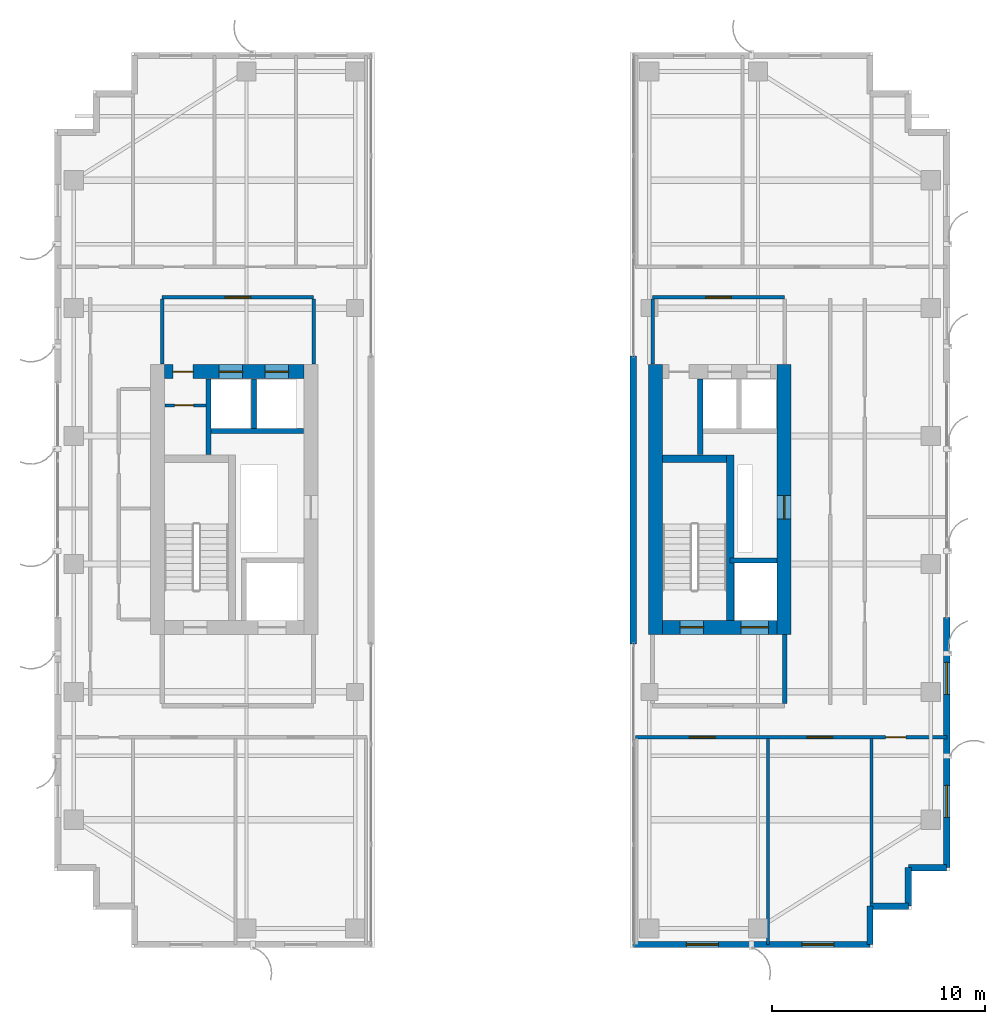
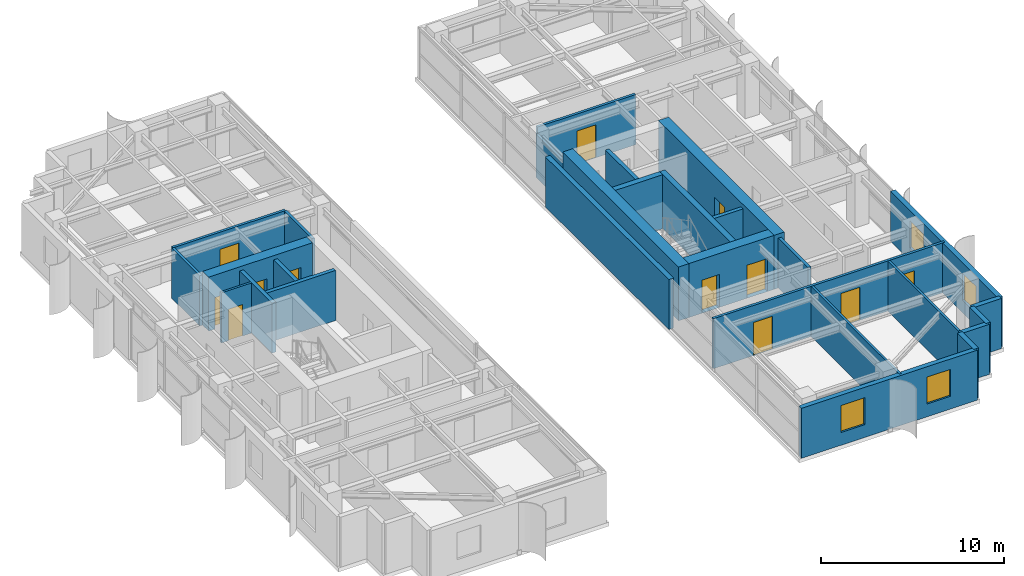
# One storey, part 17 of 22: 28 walls, 12 doors, 4 windows, 16 openings.
"""IFC4 building model written with IfcOpenShell, lengths in metres."""

import ifcopenshell
import ifcopenshell.guid

model = None  # the IFC model being written
_history = None  # IfcOwnerHistory: only IFC2X3 demands one
_inside = {}  # id of a spatial element -> (the spatial element, [elements in it])
_under = {}  # id of a project, library or spatial element -> (it, [spatial elements below it])
_declared = {}  # id of a project -> (the project, [libraries it declares])
_typed = {}  # id of a type object -> (the type object, [elements of that type])
_made_of = {}  # id of a material, layer set ... -> (it, [elements and type objects made of it])


def new_model(schema):
    """Start an empty IFC model of exactly this schema.

    Asked for "IFC4X3", IfcOpenShell would pick the latest addendum, in which some entities
    have other attributes; the version numbers below select the first issue.
    IFC2X3 requires an IfcOwnerHistory on every rooted entity: one is made here for all.
    """
    global model, _history
    if schema == "IFC4X3":
        model = ifcopenshell.file(schema_version=(4, 3, 0, 0))
    else:
        model = ifcopenshell.file(schema=schema)
    _inside.clear()
    _under.clear()
    _declared.clear()
    _typed.clear()
    _made_of.clear()
    _history = None
    if model.schema == "IFC2X3":
        org = make("IfcOrganization", Name="unknown")
        user = make(
            "IfcPersonAndOrganization",
            ThePerson=make("IfcPerson", FamilyName="unknown"),
            TheOrganization=org,
        )
        app = make(
            "IfcApplication",
            ApplicationDeveloper=org,
            Version="unknown",
            ApplicationFullName="unknown",
            ApplicationIdentifier="unknown",
        )
        _history = make(
            "IfcOwnerHistory",
            OwningUser=user,
            OwningApplication=app,
            ChangeAction="ADDED",
            CreationDate=0,
        )
    return model


def make(cls, **values):
    """One entity of the class cls with the attributes given. An attribute that is None is left unset."""
    return model.create_entity(
        cls, **{name: value for name, value in values.items() if value is not None}
    )


def rooted(cls, **values):
    """An entity with a GlobalId (a new one), such as an element, a storey or a relation."""
    return make(cls, GlobalId=ifcopenshell.guid.new(), OwnerHistory=_history, **values)


def si_unit(unit_type, name, prefix=None):
    """IfcSIUnit, for example si_unit("LENGTHUNIT", "METRE", prefix="MILLI")."""
    return make("IfcSIUnit", UnitType=unit_type, Prefix=prefix, Name=name)


def assignment(units):
    """IfcUnitAssignment: the units of a project."""
    return None if units is None else make("IfcUnitAssignment", Units=units)


def point(xyz):
    """IfcCartesianPoint."""
    return None if xyz is None else make("IfcCartesianPoint", Coordinates=xyz)


def direction(xyz):
    """IfcDirection."""
    return None if xyz is None else make("IfcDirection", DirectionRatios=xyz)


def frame(location, z_axis=None, x_axis=None):
    """IfcAxis2Placement3D, a coordinate frame: its origin and axes. An axis left out is left unset."""
    return make(
        "IfcAxis2Placement3D",
        Location=point(location),
        Axis=direction(z_axis),
        RefDirection=direction(x_axis),
    )


def frame_2d(location, x_axis=None):
    """IfcAxis2Placement2D, a coordinate frame in the plane: its origin and x axis."""
    return make(
        "IfcAxis2Placement2D", Location=point(location), RefDirection=direction(x_axis)
    )


def origin():
    """The frame at (0, 0, 0) with its axes left unset."""
    return frame((0.0, 0.0, 0.0))


def place(relative_to, where):
    """IfcLocalPlacement: puts the frame where relative to a parent placement (None: the world)."""
    return make(
        "IfcLocalPlacement", PlacementRelTo=relative_to, RelativePlacement=where
    )


def context(
    kind, dimensions, precision=None, world=None, true_north=None, identifier=None
):
    """IfcGeometricRepresentationContext, for example the 3D "Model" context."""
    return make(
        "IfcGeometricRepresentationContext",
        ContextIdentifier=identifier,
        ContextType=kind,
        CoordinateSpaceDimension=dimensions,
        Precision=precision,
        WorldCoordinateSystem=world,
        TrueNorth=true_north,
    )


def subcontext(parent, identifier, kind, view, scale=None):
    """IfcGeometricRepresentationSubContext, for example "Body" below "Model"."""
    return make(
        "IfcGeometricRepresentationSubContext",
        ContextIdentifier=identifier,
        ContextType=kind,
        ParentContext=parent,
        TargetScale=scale,
        TargetView=view,
    )


def project(units=None, contexts=None):
    """IfcProject with its units and contexts."""
    return rooted(
        "IfcProject",
        Name="project",
        RepresentationContexts=contexts,
        UnitsInContext=assignment(units),
    )


def spatial(cls, under=None, at=None, **own):
    """A site, building, storey or space (cls), placed at a placement, below another one or the project."""
    s = rooted(cls, ObjectPlacement=at, **own)
    if under is not None:
        _under.setdefault(under.id(), (under, []))[1].append(s)
    return s


def profile(cls, at=None, kind="AREA", **sizes):
    """A parametric profile (cls). Its sizes go by their IFC names, for example OverallWidth=200.0."""
    return make(cls, ProfileType=kind, Position=at, **sizes)


def rectangle(**sizes):
    """IfcRectangleProfileDef."""
    return profile("IfcRectangleProfileDef", **sizes)


def extrude(swept, where, along, depth):
    """IfcExtrudedAreaSolid: the profile swept, set in the frame where, extruded along a direction by depth."""
    return make(
        "IfcExtrudedAreaSolid",
        SweptArea=swept,
        Position=where,
        ExtrudedDirection=direction(along),
        Depth=depth,
    )


def shape(context_of_items, identifier, shape_type, items):
    """IfcShapeRepresentation: the items that make up one representation, for example the "Body"."""
    return make(
        "IfcShapeRepresentation",
        ContextOfItems=context_of_items,
        RepresentationIdentifier=identifier,
        RepresentationType=shape_type,
        Items=items,
    )


def source(mapping_origin, context_of_items, identifier, shape_type, items):
    """IfcRepresentationMap: a shape defined once, which mapped items show again and again."""
    return make(
        "IfcRepresentationMap",
        MappingOrigin=mapping_origin,
        MappedRepresentation=shape(context_of_items, identifier, shape_type, items),
    )


def transform(
    local_origin,
    x_axis=None,
    y_axis=None,
    z_axis=None,
    scale=None,
    scale2=None,
    scale3=None,
    uniform=True,
):
    """IfcCartesianTransformationOperator3D, or its non-uniform kind. x_axis, y_axis, z_axis: its Axis1, 2, 3."""
    if uniform:
        return make(
            "IfcCartesianTransformationOperator3D",
            Axis1=direction(x_axis),
            Axis2=direction(y_axis),
            LocalOrigin=point(local_origin),
            Scale=scale,
            Axis3=direction(z_axis),
        )
    return make(
        "IfcCartesianTransformationOperator3DnonUniform",
        Axis1=direction(x_axis),
        Axis2=direction(y_axis),
        LocalOrigin=point(local_origin),
        Scale=scale,
        Axis3=direction(z_axis),
        Scale2=scale2,
        Scale3=scale3,
    )


def mapped(mapping_source, mapping_target):
    """IfcMappedItem: shows the shape of a source again, moved by a transform."""
    return make(
        "IfcMappedItem", MappingSource=mapping_source, MappingTarget=mapping_target
    )


def material(Name=None, Category=None):
    """IfcMaterial."""
    return make("IfcMaterial", Name=Name, Category=Category)


def layer(
    of_material, thickness, ventilated=None, Name=None, Category=None, Priority=None
):
    """IfcMaterialLayer: one layer of a wall or slab, of a material (None: an air gap)."""
    return make(
        "IfcMaterialLayer",
        Material=of_material,
        LayerThickness=thickness,
        IsVentilated=ventilated,
        Name=Name,
        Category=Category,
        Priority=Priority,
    )


def layer_set(layers, Name=None):
    """IfcMaterialLayerSet."""
    return make("IfcMaterialLayerSet", MaterialLayers=layers, LayerSetName=Name)


def made_of(thing, what):
    """Note that an element or type object is made of a material, layer set ...; save() writes the relation."""
    if what is not None:
        _made_of.setdefault(what.id(), (what, []))[1].append(thing)
    return thing


def type_object(cls, material=None, **own):
    """A type object (cls), such as IfcWallType, which elements share."""
    return made_of(rooted(cls, **own), material)


def element(
    cls,
    number,
    at=None,
    inside=None,
    cuts=None,
    type_object=None,
    material=None,
    context=None,
    identifier="Body",
    shape_type=None,
    held_by="IfcProductDefinitionShape",
    body=None,
    shapes=None,
    **own,
):
    """One element of the class cls, such as IfcWall. Its Tag is "e" and its number.

    at: its placement. inside: the storey or other place that contains it. cuts: it is an
    opening in that element (IfcRelVoidsElement). A single representation is given by context,
    identifier, shape_type and body (its items); several are given by shapes. held_by: the class
    of the entity that holds the representations. save() writes the other relations.
    """
    e = rooted(cls, Tag="e%d" % number, ObjectPlacement=at, **own)
    if body is not None:
        shapes = [shape(context, identifier, shape_type, body)]
    if shapes is not None:
        e.Representation = make(held_by, Representations=shapes)
    if inside is not None:
        _inside.setdefault(inside.id(), (inside, []))[1].append(e)
    if cuts is not None:
        rooted(
            "IfcRelVoidsElement", RelatingBuildingElement=cuts, RelatedOpeningElement=e
        )
    if type_object is not None:
        _typed.setdefault(type_object.id(), (type_object, []))[1].append(e)
    return made_of(e, material)


def fill(opening, filler):
    """IfcRelFillsElement: the door or window that sits in an opening."""
    return rooted(
        "IfcRelFillsElement",
        RelatingOpeningElement=opening,
        RelatedBuildingElement=filler,
    )


def aggregate(whole, parts):
    """IfcRelAggregates: a whole, such as a stair, and the parts it consists of."""
    return rooted("IfcRelAggregates", RelatingObject=whole, RelatedObjects=parts)


def save(model, path):
    """Write the relations noted so far, then the file.

    IfcRelAggregates (storeys below a building ...), IfcRelContainedInSpatialStructure (elements
    in a storey), IfcRelDefinesByType, IfcRelAssociatesMaterial and IfcRelDeclares: one each for
    every whole, place, type object, material and project.
    """
    for whole, parts in _under.values():
        aggregate(whole, parts)
    for where, things in _inside.values():
        rooted(
            "IfcRelContainedInSpatialStructure",
            RelatedElements=things,
            RelatingStructure=where,
        )
    for kind, things in _typed.values():
        rooted("IfcRelDefinesByType", RelatedObjects=things, RelatingType=kind)
    for what, things in _made_of.values():
        rooted("IfcRelAssociatesMaterial", RelatedObjects=things, RelatingMaterial=what)
    for by, libraries in _declared.values():
        rooted("IfcRelDeclares", RelatingContext=by, RelatedDefinitions=libraries)
    model.write(path)


model = new_model("IFC4")

# Units and contexts
model_context = context("Model", 3, precision=1e-05, world=origin(), true_north=direction((0.0, 1.0)))
body_context = subcontext(model_context, "Body", "Model", "MODEL_VIEW")
ifc_project = project(units=[si_unit("LENGTHUNIT", "METRE"), si_unit("AREAUNIT", "SQUARE_METRE"), si_unit("VOLUMEUNIT", "CUBIC_METRE"), si_unit("PLANEANGLEUNIT", "RADIAN"), si_unit("MASSUNIT", "GRAM", prefix="KILO")], contexts=[model_context])

# Site, building, storey
site_placement = place(None, origin())
site = spatial("IfcSite", under=ifc_project, at=site_placement, CompositionType="ELEMENT")
building_placement = place(site_placement, origin())
building = spatial("IfcBuilding", under=site, at=building_placement, Name="Khoralis Quay Care Tower", CompositionType="ELEMENT")
storey_placement = place(building_placement, frame((0.0, 0.0, 202.5)))
storey = spatial("IfcBuildingStorey", under=building, at=storey_placement, Name="L53", CompositionType="ELEMENT", Elevation=202.5)

# Wall
ifc_material_1 = material(Name="Gypsum plasterboard on acoustic metal stud")
ifc_layer_1 = layer(ifc_material_1, 0.199951171875)
ifc_layer_set_1 = layer_set([ifc_layer_1], Name="Gypsum plasterboard on acoustic metal stud")
wall_type_1 = type_object("IfcWallType", Name="WL-COMP-200", PredefinedType="PARTITIONING", material=ifc_layer_set_1)
wall_1_placement = place(storey_placement, frame((37.25, 11.445068359375, 0.0), z_axis=(0.0, 0.0, 1.0), x_axis=(0.0, 1.0, 0.0)))
element("IfcWall", 1, at=wall_1_placement, inside=storey, type_object=wall_type_1, Name="L53 East Firefighting Lobby East Wall", PredefinedType="PARTITIONING", context=body_context, shape_type="SweptSolid", body=[
    extrude(rectangle(XDim=3.23486328125, YDim=0.199951171875, at=frame_2d((1.617431640625, 0.0))), origin(), (0.0, 0.0, 1.0), 3.340087890625),
])

# Wall, openings, doors
ifc_material_2 = material(Name="Concrete C65/80", Category="concrete")
ifc_layer_2 = layer(ifc_material_2, 0.64990234375)
ifc_layer_set_2 = layer_set([ifc_layer_2], Name="Concrete C65/80")
wall_type_2 = type_object("IfcWallType", Name="WL-CORE-650", PredefinedType="SHEAR", material=ifc_layer_set_2)
wall_2_placement = place(storey_placement, frame((8.14990234375, 27.02490234375, 0.0), z_axis=(0.0, 0.0, 1.0), x_axis=(1.0, 0.0, 0.0)))
wall_2 = element("IfcWall", 2, at=wall_2_placement, inside=storey, type_object=wall_type_2, Name="L53 WCORE North Shear Wall", PredefinedType="SHEAR", context=body_context, shape_type="SweptSolid", body=[
    extrude(rectangle(XDim=6.550048828125, YDim=0.64990234375, at=frame_2d((3.27490234375, 0.0))), origin(), (0.0, 0.0, 1.0), 3.60009765625),
])
opening_1_placement = place(wall_2_placement, frame((0.39990234375, 0.0, 0.0)))
opening_1 = element("IfcOpeningElement", 3, at=opening_1_placement, cuts=wall_2, Name="Opening ID1", PredefinedType="OPENING", context=body_context, shape_type="SweptSolid", body=[
    extrude(rectangle(XDim=0.949951171875, YDim=2.10009765625, at=frame_2d((0.47509765625, 1.050048828125))), frame((0.0, 0.3349609375, 0.0), z_axis=(0.0, -1.0, 0.0), x_axis=(1.0, 0.0, 0.0)), (0.0, 0.0, 1.0), 0.669921875),
])
opening_2_placement = place(wall_2_placement, frame((2.570068359375, 0.0, 0.0)))
opening_2 = element("IfcOpeningElement", 4, at=opening_2_placement, cuts=wall_2, Name="Opening LD1", PredefinedType="OPENING", context=body_context, shape_type="SweptSolid", body=[
    extrude(rectangle(XDim=1.10009765625, YDim=2.199951171875, at=frame_2d((0.550048828125, 1.10009765625))), frame((0.0, 0.3349609375, 0.0), z_axis=(0.0, -1.0, 0.0), x_axis=(1.0, 0.0, 0.0)), (0.0, 0.0, 1.0), 0.669921875),
])
opening_3_placement = place(wall_2_placement, frame((4.72998046875, 0.0, 0.0)))
opening_3 = element("IfcOpeningElement", 5, at=opening_3_placement, cuts=wall_2, Name="Opening LD1", PredefinedType="OPENING", context=body_context, shape_type="SweptSolid", body=[
    extrude(rectangle(XDim=1.10009765625, YDim=2.199951171875, at=frame_2d((0.550048828125, 1.10009765625))), frame((0.0, 0.3349609375, 0.0), z_axis=(0.0, -1.0, 0.0), x_axis=(1.0, 0.0, 0.0)), (0.0, 0.0, 1.0), 0.669921875),
])
ifc_material_3 = material(Name="Brushed stainless steel", Category="steel")
door_type_1 = type_object("IfcDoorType", Name="DR-LIFT-1100X2200", OperationType="SLIDING_TO_LEFT", PredefinedType="DOOR", material=ifc_material_3)
shared_shape_1 = source(origin(), body_context, "Body", "SweptSolid", [
    extrude(rectangle(XDim=1.10009765625, YDim=2.199951171875, at=frame_2d((0.550048828125, 1.10009765625))), frame((0.0, 0.02490234375, 0.0), z_axis=(0.0, -1.0, 0.0), x_axis=(1.0, 0.0, 0.0)), (0.0, 0.0, 1.0), 0.050048828125),
])
door_1_placement = place(opening_2_placement, origin())
door_1 = element("IfcDoor", 6, at=door_1_placement, inside=storey, type_object=door_type_1, Name="L53 Lift PLM1 Landing Door", OperationType="SLIDING_TO_LEFT", OverallHeight=2.199951171875, OverallWidth=1.10009765625, PredefinedType="DOOR", context=body_context, shape_type="MappedRepresentation", body=[
    mapped(shared_shape_1, transform((0.0, 0.0, 0.0), scale=1.0)),
])
fill(opening_2, door_1)
door_2_placement = place(opening_3_placement, origin())
door_2 = element("IfcDoor", 7, at=door_2_placement, inside=storey, type_object=door_type_1, Name="L53 Lift PLH1 Landing Door", OperationType="SLIDING_TO_LEFT", OverallHeight=2.199951171875, OverallWidth=1.10009765625, PredefinedType="DOOR", context=body_context, shape_type="MappedRepresentation", body=[
    mapped(shared_shape_1, transform((0.0, 0.0, 0.0), scale=1.0)),
])
fill(opening_3, door_2)
ifc_material_4 = material(Name="Acoustic hardwood timber", Category="wood")
door_type_2 = type_object("IfcDoorType", Name="DR-ROOM-950X2100", OperationType="NOTDEFINED", PredefinedType="DOOR", material=ifc_material_4)
shared_shape_2 = source(origin(), body_context, "Body", "SweptSolid", [
    extrude(rectangle(XDim=0.949951171875, YDim=2.10009765625, at=frame_2d((0.47509765625, 1.050048828125))), frame((0.0, 0.02490234375, 0.0), z_axis=(0.0, -1.0, 0.0), x_axis=(1.0, 0.0, 0.0)), (0.0, 0.0, 1.0), 0.050048828125),
])
door_3_placement = place(opening_1_placement, frame((0.949951171875, 0.0, 0.0), z_axis=(0.0, 0.0, 1.0), x_axis=(-1.0, 0.0, 0.0)))
door_3 = element("IfcDoor", 8, at=door_3_placement, inside=storey, type_object=door_type_2, Name="L53 Medication Store Door", OperationType="SINGLE_SWING_LEFT", OverallHeight=2.10009765625, OverallWidth=0.949951171875, PredefinedType="DOOR", context=body_context, shape_type="MappedRepresentation", body=[
    mapped(shared_shape_2, transform((0.0, 0.0, 0.0), scale=1.0)),
])
fill(opening_1, door_3)

# Wall
wall_3_placement = place(storey_placement, frame((31.195068359375, 14.699951171875, 0.0), z_axis=(0.0, 0.0, 1.0), x_axis=(0.0, 1.0, 0.0)))
element("IfcWall", 9, at=wall_3_placement, inside=storey, type_object=wall_type_2, Name="L53 ECORE West Shear Wall", PredefinedType="SHEAR", context=body_context, shape_type="SweptSolid", body=[
    extrude(rectangle(XDim=12.650146484375, YDim=0.64990234375, at=frame_2d((6.3251953125, 0.0))), origin(), (0.0, 0.0, 1.0), 3.60009765625),
])

# Wall, opening, door
wall_4_placement = place(storey_placement, frame((37.22509765625, 14.699951171875, 0.0), z_axis=(0.0, 0.0, 1.0), x_axis=(0.0, 1.0, 0.0)))
wall_4 = element("IfcWall", 10, at=wall_4_placement, inside=storey, type_object=wall_type_2, Name="L53 ECORE East Shear Wall", PredefinedType="SHEAR", context=body_context, shape_type="SweptSolid", body=[
    extrude(rectangle(XDim=12.650146484375, YDim=0.64990234375, at=frame_2d((6.3251953125, 0.0))), origin(), (0.0, 0.0, 1.0), 3.60009765625),
])
opening_4_placement = place(wall_4_placement, frame((5.39990234375, 0.0, 0.0)))
opening_4 = element("IfcOpeningElement", 11, at=opening_4_placement, cuts=wall_4, Name="Opening SD1", PredefinedType="OPENING", context=body_context, shape_type="SweptSolid", body=[
    extrude(rectangle(XDim=1.10009765625, YDim=2.199951171875, at=frame_2d((0.550048828125, 1.10009765625))), frame((0.0, 0.3349609375, 0.0), z_axis=(0.0, -1.0, 0.0), x_axis=(1.0, 0.0, 0.0)), (0.0, 0.0, 1.0), 0.669921875),
])
ifc_material_5 = material(Name="Fire-rated painted steel", Category="steel")
door_type_3 = type_object("IfcDoorType", Name="DR-STAIR-1100X2200", OperationType="NOTDEFINED", PredefinedType="DOOR", material=ifc_material_5)
shared_shape_3 = source(origin(), body_context, "Body", "SweptSolid", [
    extrude(rectangle(XDim=1.10009765625, YDim=2.199951171875, at=frame_2d((0.550048828125, 1.10009765625))), frame((0.0, 0.02490234375, 0.0), z_axis=(0.0, -1.0, 0.0), x_axis=(1.0, 0.0, 0.0)), (0.0, 0.0, 1.0), 0.050048828125),
])
door_4_placement = place(opening_4_placement, frame((1.10009765625, 0.0, 0.0), z_axis=(0.0, 0.0, 1.0), x_axis=(-1.0, 0.0, 0.0)))
door_4 = element("IfcDoor", 12, at=door_4_placement, inside=storey, type_object=door_type_3, Name="L53 East MEP Riser Door", OperationType="SINGLE_SWING_RIGHT", OverallHeight=2.199951171875, OverallWidth=1.10009765625, PredefinedType="DOOR", context=body_context, shape_type="MappedRepresentation", body=[
    mapped(shared_shape_3, transform((0.0, 0.0, 0.0), scale=1.0)),
])
fill(opening_4, door_4)

# Wall, openings, doors
wall_5_placement = place(storey_placement, frame((31.52001953125, 15.02490234375, 0.0), z_axis=(0.0, 0.0, 1.0), x_axis=(1.0, 0.0, 0.0)))
wall_5 = element("IfcWall", 13, at=wall_5_placement, inside=storey, type_object=wall_type_2, Name="L53 ECORE South Shear Wall", PredefinedType="SHEAR", context=body_context, shape_type="SweptSolid", body=[
    extrude(rectangle(XDim=5.3798828125, YDim=0.64990234375, at=frame_2d((2.68994140625, 0.0))), origin(), (0.0, 0.0, 1.0), 3.60009765625),
])
opening_5_placement = place(wall_5_placement, frame((0.830078125, 0.0, 0.0)))
opening_5 = element("IfcOpeningElement", 14, at=opening_5_placement, cuts=wall_5, Name="Opening SD1", PredefinedType="OPENING", context=body_context, shape_type="SweptSolid", body=[
    extrude(rectangle(XDim=1.10009765625, YDim=2.199951171875, at=frame_2d((0.550048828125, 1.10009765625))), frame((0.0, 0.3349609375, 0.0), z_axis=(0.0, -1.0, 0.0), x_axis=(1.0, 0.0, 0.0)), (0.0, 0.0, 1.0), 0.669921875),
])
opening_6_placement = place(wall_5_placement, frame((3.679931640625, 0.0, 0.0)))
opening_6 = element("IfcOpeningElement", 15, at=opening_6_placement, cuts=wall_5, Name="Opening LD2", PredefinedType="OPENING", context=body_context, shape_type="SweptSolid", body=[
    extrude(rectangle(XDim=1.300048828125, YDim=2.199951171875, at=frame_2d((0.64990234375, 1.10009765625))), frame((0.0, 0.3349609375, 0.0), z_axis=(0.0, -1.0, 0.0), x_axis=(1.0, 0.0, 0.0)), (0.0, 0.0, 1.0), 0.669921875),
])
door_5_placement = place(opening_5_placement, origin())
door_5 = element("IfcDoor", 16, at=door_5_placement, inside=storey, type_object=door_type_3, Name="L53 Stair ST-T2 Fire Door", OperationType="SINGLE_SWING_RIGHT", OverallHeight=2.199951171875, OverallWidth=1.10009765625, PredefinedType="DOOR", context=body_context, shape_type="MappedRepresentation", body=[
    mapped(shared_shape_3, transform((0.0, 0.0, 0.0), scale=1.0)),
])
fill(opening_5, door_5)
door_type_4 = type_object("IfcDoorType", Name="DR-LIFT-1300X2200", OperationType="SLIDING_TO_RIGHT", PredefinedType="DOOR", material=ifc_material_3)
shared_shape_4 = source(origin(), body_context, "Body", "SweptSolid", [
    extrude(rectangle(XDim=1.300048828125, YDim=2.199951171875, at=frame_2d((0.64990234375, 1.10009765625))), frame((0.0, 0.02490234375, 0.0), z_axis=(0.0, -1.0, 0.0), x_axis=(1.0, 0.0, 0.0)), (0.0, 0.0, 1.0), 0.050048828125),
])
door_6_placement = place(opening_6_placement, origin())
door_6 = element("IfcDoor", 17, at=door_6_placement, inside=storey, type_object=door_type_4, Name="L53 Firefighting Lift FFL-2 Landing Door", OperationType="SLIDING_TO_RIGHT", OverallHeight=2.199951171875, OverallWidth=1.300048828125, PredefinedType="DOOR", context=body_context, shape_type="MappedRepresentation", body=[
    mapped(shared_shape_4, transform((0.0, 0.0, 0.0), scale=1.0)),
])
fill(opening_6, door_6)

# Wall, opening, door
ifc_layer_3 = layer(ifc_material_1, 0.1650390625)
ifc_layer_set_3 = layer_set([ifc_layer_3], Name="Gypsum plasterboard on acoustic metal stud")
wall_type_3 = type_object("IfcWallType", Name="WL-CORR-165", PredefinedType="PARTITIONING", material=ifc_layer_set_3)
wall_6_placement = place(storey_placement, frame((8.050048828125, 30.5, 0.0), z_axis=(0.0, 0.0, 1.0), x_axis=(1.0, 0.0, 0.0)))
wall_6 = element("IfcWall", 18, at=wall_6_placement, inside=storey, type_object=wall_type_3, Name="L53 West Lift Lobby North Wall", PredefinedType="PARTITIONING", context=body_context, shape_type="SweptSolid", body=[
    extrude(rectangle(XDim=7.099853515625, YDim=0.1650390625, at=frame_2d((3.5498046875, 0.0))), origin(), (0.0, 0.0, 1.0), 3.340087890625),
])
opening_7_placement = place(wall_6_placement, frame((2.949951171875, 0.0, 0.0)))
opening_7 = element("IfcOpeningElement", 19, at=opening_7_placement, cuts=wall_6, Name="Opening FD1", PredefinedType="OPENING", context=body_context, shape_type="SweptSolid", body=[
    extrude(rectangle(XDim=1.199951171875, YDim=2.199951171875, at=frame_2d((0.60009765625, 1.10009765625))), frame((0.0, 0.092529296875, 0.0), z_axis=(0.0, -1.0, 0.0), x_axis=(1.0, 0.0, 0.0)), (0.0, 0.0, 1.0), 0.18505859375),
])
door_type_5 = type_object("IfcDoorType", Name="DR-FFL-1200X2200", OperationType="NOTDEFINED", PredefinedType="DOOR", material=ifc_material_5)
shared_shape_5 = source(origin(), body_context, "Body", "SweptSolid", [
    extrude(rectangle(XDim=1.199951171875, YDim=2.199951171875, at=frame_2d((0.60009765625, 1.10009765625))), frame((0.0, 0.02490234375, 0.0), z_axis=(0.0, -1.0, 0.0), x_axis=(1.0, 0.0, 0.0)), (0.0, 0.0, 1.0), 0.050048828125),
])
door_7_placement = place(opening_7_placement, origin())
door_7 = element("IfcDoor", 20, at=door_7_placement, inside=storey, type_object=door_type_5, Name="L53 West Lift Lobby Double Door", OperationType="DOUBLE_DOOR_SINGLE_SWING", OverallHeight=2.199951171875, OverallWidth=1.199951171875, PredefinedType="DOOR", context=body_context, shape_type="MappedRepresentation", body=[
    mapped(shared_shape_5, transform((0.0, 0.0, 0.0), scale=1.0)),
])
fill(opening_7, door_7)

# Walls
for number, where, z_axis, x_axis, name in (
    (21, (8.050048828125, 27.3701171875, 0.0), (0.0, 0.0, 1.0), (0.0, 1.0, 0.0), "L53 West Lift Lobby West Wall"),
    (22, (15.14990234375, 27.3701171875, 0.0), (0.0, 0.0, 1.0), (0.0, 1.0, 0.0), "L53 West Lift Lobby East Wall"),
):
    element("IfcWall", number, at=place(storey_placement, frame(where, z_axis=z_axis, x_axis=x_axis)), inside=storey, type_object=wall_type_3, Name=name, PredefinedType="PARTITIONING", context=body_context, shape_type="SweptSolid", body=[
        extrude(rectangle(XDim=3.052490234375, YDim=0.1650390625, at=frame_2d((1.5263671875, 0.0))), origin(), (0.0, 0.0, 1.0), 3.340087890625),
    ])

# Wall, opening, door
wall_7_placement = place(storey_placement, frame((31.050048828125, 30.5, 0.0), z_axis=(0.0, 0.0, 1.0), x_axis=(1.0, 0.0, 0.0)))
wall_7 = element("IfcWall", 23, at=wall_7_placement, inside=storey, type_object=wall_type_3, Name="L53 East Lift Lobby North Wall", PredefinedType="PARTITIONING", context=body_context, shape_type="SweptSolid", body=[
    extrude(rectangle(XDim=6.199951171875, YDim=0.1650390625, at=frame_2d((3.10009765625, 0.0))), origin(), (0.0, 0.0, 1.0), 3.340087890625),
])
opening_8_placement = place(wall_7_placement, frame((2.5, 0.0, 0.0)))
opening_8 = element("IfcOpeningElement", 24, at=opening_8_placement, cuts=wall_7, Name="Opening FD1", PredefinedType="OPENING", context=body_context, shape_type="SweptSolid", body=[
    extrude(rectangle(XDim=1.199951171875, YDim=2.199951171875, at=frame_2d((0.60009765625, 1.10009765625))), frame((0.0, 0.092529296875, 0.0), z_axis=(0.0, -1.0, 0.0), x_axis=(1.0, 0.0, 0.0)), (0.0, 0.0, 1.0), 0.18505859375),
])
door_8_placement = place(opening_8_placement, origin())
door_8 = element("IfcDoor", 25, at=door_8_placement, inside=storey, type_object=door_type_5, Name="L53 East Lift Lobby Double Door", OperationType="DOUBLE_DOOR_SINGLE_SWING", OverallHeight=2.199951171875, OverallWidth=1.199951171875, PredefinedType="DOOR", context=body_context, shape_type="MappedRepresentation", body=[
    mapped(shared_shape_5, transform((0.0, 0.0, 0.0), scale=1.0)),
])
fill(opening_8, door_8)

# Wall
wall_8_placement = place(storey_placement, frame((31.050048828125, 27.3701171875, 0.0), z_axis=(0.0, 0.0, 1.0), x_axis=(0.0, 1.0, 0.0)))
element("IfcWall", 26, at=wall_8_placement, inside=storey, type_object=wall_type_3, Name="L53 East Lift Lobby West Wall", PredefinedType="PARTITIONING", context=body_context, shape_type="SweptSolid", body=[
    extrude(rectangle(XDim=3.052490234375, YDim=0.1650390625, at=frame_2d((1.5263671875, 0.0))), origin(), (0.0, 0.0, 1.0), 2.881103515625),
])

# Wall, openings, doors
wall_9_placement = place(storey_placement, frame((30.25, 9.8798828125, 0.0), z_axis=(0.0, 0.0, 1.0), x_axis=(1.0, 0.0, 0.0)))
wall_9 = element("IfcWall", 27, at=wall_9_placement, inside=storey, type_object=wall_type_3, Name="L53 East Wing South Corridor Wall", PredefinedType="PARTITIONING", context=body_context, shape_type="SweptSolid", body=[
    extrude(rectangle(XDim=14.60498046875, YDim=0.1650390625, at=frame_2d((7.302490234375, 0.0))), origin(), (0.0, 0.0, 1.0), 3.340087890625),
])
opening_9_placement = place(wall_9_placement, frame((2.534912109375, 0.0, 0.0)))
opening_9 = element("IfcOpeningElement", 28, at=opening_9_placement, cuts=wall_9, Name="Opening FD1", PredefinedType="OPENING", context=body_context, shape_type="SweptSolid", body=[
    extrude(rectangle(XDim=1.199951171875, YDim=2.199951171875, at=frame_2d((0.60009765625, 1.10009765625))), frame((0.0, 0.092529296875, 0.0), z_axis=(0.0, -1.0, 0.0), x_axis=(1.0, 0.0, 0.0)), (0.0, 0.0, 1.0), 0.18505859375),
])
opening_10_placement = place(wall_9_placement, frame((8.044921875, 0.0, 0.0)))
opening_10 = element("IfcOpeningElement", 29, at=opening_10_placement, cuts=wall_9, Name="Opening FD1", PredefinedType="OPENING", context=body_context, shape_type="SweptSolid", body=[
    extrude(rectangle(XDim=1.199951171875, YDim=2.199951171875, at=frame_2d((0.60009765625, 1.10009765625))), frame((0.0, 0.092529296875, 0.0), z_axis=(0.0, -1.0, 0.0), x_axis=(1.0, 0.0, 0.0)), (0.0, 0.0, 1.0), 0.18505859375),
])
opening_11_placement = place(wall_9_placement, frame((11.735107421875, 0.0, 0.0)))
opening_11 = element("IfcOpeningElement", 30, at=opening_11_placement, cuts=wall_9, Name="Opening ID1", PredefinedType="OPENING", context=body_context, shape_type="SweptSolid", body=[
    extrude(rectangle(XDim=0.949951171875, YDim=2.10009765625, at=frame_2d((0.47509765625, 1.050048828125))), frame((0.0, 0.092529296875, 0.0), z_axis=(0.0, -1.0, 0.0), x_axis=(1.0, 0.0, 0.0)), (0.0, 0.0, 1.0), 0.18505859375),
])
door_9_placement = place(opening_9_placement, frame((1.199951171875, 0.0, 0.0), z_axis=(0.0, 0.0, 1.0), x_axis=(-1.0, 0.0, 0.0)))
door_9 = element("IfcDoor", 31, at=door_9_placement, inside=storey, type_object=door_type_5, Name="L53 Assisted Communal Dining Room Door", OperationType="DOUBLE_DOOR_SINGLE_SWING", OverallHeight=2.199951171875, OverallWidth=1.199951171875, PredefinedType="DOOR", context=body_context, shape_type="MappedRepresentation", body=[
    mapped(shared_shape_5, transform((0.0, 0.0, 0.0), scale=1.0)),
])
fill(opening_9, door_9)
door_10_placement = place(opening_10_placement, frame((1.199951171875, 0.0, 0.0), z_axis=(0.0, 0.0, 1.0), x_axis=(-1.0, 0.0, 0.0)))
door_10 = element("IfcDoor", 32, at=door_10_placement, inside=storey, type_object=door_type_5, Name="L53 Assisted Communal Dining Room Door", OperationType="DOUBLE_DOOR_SINGLE_SWING", OverallHeight=2.199951171875, OverallWidth=1.199951171875, PredefinedType="DOOR", context=body_context, shape_type="MappedRepresentation", body=[
    mapped(shared_shape_5, transform((0.0, 0.0, 0.0), scale=1.0)),
])
fill(opening_10, door_10)
door_11_placement = place(opening_11_placement, frame((0.949951171875, 0.0, 0.0), z_axis=(0.0, 0.0, 1.0), x_axis=(-1.0, 0.0, 0.0)))
door_11 = element("IfcDoor", 33, at=door_11_placement, inside=storey, type_object=door_type_2, Name="L53 SE Corner Door", OperationType="SINGLE_SWING_RIGHT", OverallHeight=2.10009765625, OverallWidth=0.949951171875, PredefinedType="DOOR", context=body_context, shape_type="MappedRepresentation", body=[
    mapped(shared_shape_2, transform((0.0, 0.0, 0.0), scale=1.0)),
])
fill(opening_11, door_11)

# Wall, openings, windows
ifc_material_6 = material(Name="Precast concrete C45/55", Category="concrete")
ifc_layer_4 = layer(ifc_material_6, 0.300048828125)
ifc_layer_set_4 = layer_set([ifc_layer_4], Name="Precast concrete C45/55")
wall_type_4 = type_object("IfcWallType", Name="WL-EXT-REF-300", PredefinedType="SOLIDWALL", material=ifc_layer_set_4)
wall_10_placement = place(storey_placement, frame((30.14990234375, 0.14990234375, 0.0), z_axis=(0.0, 0.0, 1.0), x_axis=(1.0, 0.0, 0.0)))
wall_10 = element("IfcWall", 34, at=wall_10_placement, inside=storey, type_object=wall_type_4, Name="L53 External Facade Wall WL-EXT-L53-P2-E0", PredefinedType="SOLIDWALL", context=body_context, shape_type="SweptSolid", body=[
    extrude(rectangle(XDim=11.10009765625, YDim=0.300048828125, at=frame_2d((5.550048828125, 0.0))), origin(), (0.0, 0.0, 1.0), 3.340087890625),
])
opening_12_placement = place(wall_10_placement, frame((2.485107421875, 0.0, 0.85009765625)))
opening_12 = element("IfcOpeningElement", 35, at=opening_12_placement, cuts=wall_10, Name="Opening W3", PredefinedType="OPENING", context=body_context, shape_type="SweptSolid", body=[
    extrude(rectangle(XDim=1.5, YDim=1.800048828125, at=frame_2d((0.75, 0.89990234375))), frame((0.0, 0.16015625, 0.0), z_axis=(0.0, -1.0, 0.0), x_axis=(1.0, 0.0, 0.0)), (0.0, 0.0, 1.0), 0.320068359375),
])
opening_13_placement = place(wall_10_placement, frame((7.909912109375, 0.0, 0.85009765625)))
opening_13 = element("IfcOpeningElement", 36, at=opening_13_placement, cuts=wall_10, Name="Opening W3", PredefinedType="OPENING", context=body_context, shape_type="SweptSolid", body=[
    extrude(rectangle(XDim=1.5, YDim=1.800048828125, at=frame_2d((0.75, 0.89990234375))), frame((0.0, 0.16015625, 0.0), z_axis=(0.0, -1.0, 0.0), x_axis=(1.0, 0.0, 0.0)), (0.0, 0.0, 1.0), 0.320068359375),
])
ifc_material_7 = material(Name="Low-E solar-control double glazing", Category="glass")
window_type = type_object("IfcWindowType", Name="WN-CLIN-1500X1800", PartitioningType="SINGLE_PANEL", PredefinedType="WINDOW", material=ifc_material_7)
shared_shape_6 = source(origin(), body_context, "Body", "SweptSolid", [
    extrude(rectangle(XDim=1.5, YDim=1.800048828125, at=frame_2d((0.75, 0.89990234375))), frame((0.0, 0.030029296875, 0.0), z_axis=(0.0, -1.0, 0.0), x_axis=(1.0, 0.0, 0.0)), (0.0, 0.0, 1.0), 0.06005859375),
])
window_1_placement = place(opening_12_placement, origin())
window_1 = element("IfcWindow", 37, at=window_1_placement, inside=storey, type_object=window_type, Name="WN-L53-P2-E0 Facade Window 01", OverallHeight=1.800048828125, OverallWidth=1.5, PartitioningType="SINGLE_PANEL", PredefinedType="WINDOW", context=body_context, shape_type="MappedRepresentation", body=[
    mapped(shared_shape_6, transform((0.0, 0.0, 0.0), scale=1.0)),
])
fill(opening_12, window_1)
window_2_placement = place(opening_13_placement, origin())
window_2 = element("IfcWindow", 38, at=window_2_placement, inside=storey, type_object=window_type, Name="WN-L53-P2-E0 Facade Window 02", OverallHeight=1.800048828125, OverallWidth=1.5, PartitioningType="SINGLE_PANEL", PredefinedType="WINDOW", context=body_context, shape_type="MappedRepresentation", body=[
    mapped(shared_shape_6, transform((0.0, 0.0, 0.0), scale=1.0)),
])
fill(opening_13, window_2)

# Walls
for number, where, z_axis, x_axis, name in (
    (39, (41.25, 0.14990234375, 0.0), (0.0, 0.0, 1.0), (0.0, 1.0, 0.0), "L53 External Facade Wall WL-EXT-L53-P2-C1"),
    (40, (41.25, 1.949951171875, 0.0), (0.0, 0.0, 1.0), (1.0, 0.0, 0.0), "L53 External Facade Wall WL-EXT-L53-P2-C2"),
    (41, (43.050048828125, 1.949951171875, 0.0), (0.0, 0.0, 1.0), (0.0, 1.0, 0.0), "L53 External Facade Wall WL-EXT-L53-P2-C3"),
    (42, (43.050048828125, 3.75, 0.0), (0.0, 0.0, 1.0), (1.0, 0.0, 0.0), "L53 External Facade Wall WL-EXT-L53-P2-C4"),
):
    element("IfcWall", number, at=place(storey_placement, frame(where, z_axis=z_axis, x_axis=x_axis)), inside=storey, type_object=wall_type_4, Name=name, PredefinedType="SOLIDWALL", context=body_context, shape_type="SweptSolid", body=[
        extrude(rectangle(XDim=1.800048828125, YDim=0.300048828125, at=frame_2d((0.89990234375, 0.0))), origin(), (0.0, 0.0, 1.0), 3.340087890625),
    ])

# Wall, openings, windows
wall_11_placement = place(storey_placement, frame((44.85009765625, 3.75, 0.0), z_axis=(0.0, 0.0, 1.0), x_axis=(0.0, 1.0, 0.0)))
wall_11 = element("IfcWall", 43, at=wall_11_placement, inside=storey, type_object=wall_type_4, Name="L53 External Facade Wall WL-EXT-L53-P2-E5A", PredefinedType="SOLIDWALL", context=body_context, shape_type="SweptSolid", body=[
    extrude(rectangle(XDim=11.72998046875, YDim=0.300048828125, at=frame_2d((5.864990234375, 0.0))), origin(), (0.0, 0.0, 1.0), 3.340087890625),
])
opening_14_placement = place(wall_11_placement, frame((2.364990234375, 0.0, 0.85009765625)))
opening_14 = element("IfcOpeningElement", 44, at=opening_14_placement, cuts=wall_11, Name="Opening W3", PredefinedType="OPENING", context=body_context, shape_type="SweptSolid", body=[
    extrude(rectangle(XDim=1.5, YDim=1.800048828125, at=frame_2d((0.75, 0.89990234375))), frame((0.0, 0.16015625, 0.0), z_axis=(0.0, -1.0, 0.0), x_axis=(1.0, 0.0, 0.0)), (0.0, 0.0, 1.0), 0.320068359375),
])
opening_15_placement = place(wall_11_placement, frame((8.1298828125, 0.0, 0.85009765625)))
opening_15 = element("IfcOpeningElement", 45, at=opening_15_placement, cuts=wall_11, Name="Opening W3", PredefinedType="OPENING", context=body_context, shape_type="SweptSolid", body=[
    extrude(rectangle(XDim=1.5, YDim=1.800048828125, at=frame_2d((0.75, 0.89990234375))), frame((0.0, 0.16015625, 0.0), z_axis=(0.0, -1.0, 0.0), x_axis=(1.0, 0.0, 0.0)), (0.0, 0.0, 1.0), 0.320068359375),
])
window_3_placement = place(opening_14_placement, origin())
window_3 = element("IfcWindow", 46, at=window_3_placement, inside=storey, type_object=window_type, Name="WN-L53-P2-E5A Facade Window 01", OverallHeight=1.800048828125, OverallWidth=1.5, PartitioningType="SINGLE_PANEL", PredefinedType="WINDOW", context=body_context, shape_type="MappedRepresentation", body=[
    mapped(shared_shape_6, transform((0.0, 0.0, 0.0), scale=1.0)),
])
fill(opening_14, window_3)
window_4_placement = place(opening_15_placement, origin())
window_4 = element("IfcWindow", 47, at=window_4_placement, inside=storey, type_object=window_type, Name="WN-L53-P2-E5A Facade Window 02", OverallHeight=1.800048828125, OverallWidth=1.5, PartitioningType="SINGLE_PANEL", PredefinedType="WINDOW", context=body_context, shape_type="MappedRepresentation", body=[
    mapped(shared_shape_6, transform((0.0, 0.0, 0.0), scale=1.0)),
])
fill(opening_15, window_4)

# Walls
wall_12_placement = place(storey_placement, frame((30.14990234375, 14.25, 0.0), z_axis=(0.0, 0.0, 1.0), x_axis=(0.0, 1.0, 0.0)))
element("IfcWall", 48, at=wall_12_placement, inside=storey, type_object=wall_type_4, Name="L53 External Facade Wall WL-VP-L53-P2-M", PredefinedType="SOLIDWALL", context=body_context, shape_type="SweptSolid", body=[
    extrude(rectangle(XDim=13.5, YDim=0.300048828125, at=frame_2d((6.75, 0.0))), origin(), (0.0, 0.0, 1.0), 3.340087890625),
])
ifc_material_8 = material(Name="Concrete C40/50", Category="concrete")
ifc_layer_5 = layer(ifc_material_8, 0.35009765625)
ifc_layer_set_5 = layer_set([ifc_layer_5], Name="Concrete C40/50")
wall_type_5 = type_object("IfcWallType", Name="WL-SC-CORE-350", PredefinedType="SHEAR", material=ifc_layer_set_5)
wall_13_placement = place(storey_placement, frame((34.695068359375, 15.35009765625, 0.0), z_axis=(0.0, 0.0, 1.0), x_axis=(0.0, 1.0, 0.0)))
element("IfcWall", 49, at=wall_13_placement, inside=storey, type_object=wall_type_5, Name="L53 Stair ST-T2 Shear Baffle Wall East", PredefinedType="SHEAR", context=body_context, shape_type="SweptSolid", body=[
    extrude(rectangle(XDim=7.75, YDim=0.35009765625, at=frame_2d((3.875, 0.0))), origin(), (0.0, 0.0, 1.0), 3.60009765625),
])
wall_14_placement = place(storey_placement, frame((31.52001953125, 22.925048828125, 0.0), z_axis=(0.0, 0.0, 1.0), x_axis=(1.0, 0.0, 0.0)))
element("IfcWall", 50, at=wall_14_placement, inside=storey, type_object=wall_type_5, Name="L53 Stair ST-T2 Shear Baffle Wall North", PredefinedType="SHEAR", context=body_context, shape_type="SweptSolid", body=[
    extrude(rectangle(XDim=3.0, YDim=0.35009765625, at=frame_2d((1.5, 0.0))), origin(), (0.0, 0.0, 1.0), 3.60009765625),
])
ifc_layer_6 = layer(ifc_material_1, 0.239990234375)
ifc_layer_set_6 = layer_set([ifc_layer_6], Name="Gypsum plasterboard on acoustic metal stud")
wall_type_6 = type_object("IfcWallType", Name="WL-SHAFT-240", PredefinedType="PARTITIONING", material=ifc_layer_set_6)
wall_15_placement = place(storey_placement, frame((34.679931640625, 18.169921875, 0.0), z_axis=(0.0, 0.0, 1.0), x_axis=(1.0, 0.0, 0.0)))
element("IfcWall", 51, at=wall_15_placement, inside=storey, type_object=wall_type_6, Name="L53 FFL-2 Shaft Wall North", PredefinedType="PARTITIONING", context=body_context, shape_type="SweptSolid", body=[
    extrude(rectangle(XDim=2.199951171875, YDim=0.239990234375, at=frame_2d((1.10009765625, 0.0))), origin(), (0.0, 0.0, 1.0), 3.340087890625),
])
wall_16_placement = place(storey_placement, frame((10.219970703125, 23.139892578125, 0.0), z_axis=(0.0, 0.0, 1.0), x_axis=(0.0, 1.0, 0.0)))
element("IfcWall", 52, at=wall_16_placement, inside=storey, type_object=wall_type_6, Name="L53 Reclaimed Bay Divider West", PredefinedType="PARTITIONING", context=body_context, shape_type="SweptSolid", body=[
    extrude(rectangle(XDim=3.5400390625, YDim=0.239990234375, at=frame_2d((1.77001953125, 0.0))), origin(), (0.0, 0.0, 1.0), 3.340087890625),
])
wall_17_placement = place(storey_placement, frame((10.3349609375, 24.22998046875, 0.0), z_axis=(0.0, 0.0, 1.0), x_axis=(1.0, 0.0, 0.0)))
element("IfcWall", 53, at=wall_17_placement, inside=storey, type_object=wall_type_6, Name="L53 Active Shaft South Wall West", PredefinedType="PARTITIONING", context=body_context, shape_type="SweptSolid", body=[
    extrude(rectangle(XDim=4.344970703125, YDim=0.239990234375, at=frame_2d((2.17236328125, 0.0))), origin(), (0.0, 0.0, 1.0), 3.340087890625),
])
wall_18_placement = place(storey_placement, frame((12.35009765625, 24.344970703125, 0.0), z_axis=(0.0, 0.0, 1.0), x_axis=(0.0, 1.0, 0.0)))
element("IfcWall", 54, at=wall_18_placement, inside=storey, type_object=wall_type_6, Name="L53 West Shaft Divider 2", PredefinedType="PARTITIONING", context=body_context, shape_type="SweptSolid", body=[
    extrude(rectangle(XDim=2.3349609375, YDim=0.239990234375, at=frame_2d((1.16748046875, 0.0))), origin(), (0.0, 0.0, 1.0), 3.340087890625),
])
wall_19_placement = place(storey_placement, frame((33.2900390625, 23.139892578125, 0.0), z_axis=(0.0, 0.0, 1.0), x_axis=(0.0, 1.0, 0.0)))
element("IfcWall", 55, at=wall_19_placement, inside=storey, type_object=wall_type_6, Name="L53 Reclaimed Bay Divider East", PredefinedType="PARTITIONING", context=body_context, shape_type="SweptSolid", body=[
    extrude(rectangle(XDim=3.5400390625, YDim=0.239990234375, at=frame_2d((1.77001953125, 0.0))), origin(), (0.0, 0.0, 1.0), 3.340087890625),
])

# Wall, opening, door
ifc_layer_7 = layer(ifc_material_1, 0.139892578125)
ifc_layer_set_7 = layer_set([ifc_layer_7], Name="Gypsum plasterboard on acoustic metal stud")
wall_type_7 = type_object("IfcWallType", Name="WL-UNIT-140", PredefinedType="PARTITIONING", material=ifc_layer_set_7)
wall_20_placement = place(storey_placement, frame((8.179931640625, 25.43994140625, 0.0), z_axis=(0.0, 0.0, 1.0), x_axis=(1.0, 0.0, 0.0)))
wall_20 = element("IfcWall", 56, at=wall_20_placement, inside=storey, type_object=wall_type_7, Name="L53 West Reclaimed Split Wall", PredefinedType="PARTITIONING", context=body_context, shape_type="SweptSolid", body=[
    extrude(rectangle(XDim=1.925048828125, YDim=0.139892578125, at=frame_2d((0.96240234375, 0.0))), origin(), (0.0, 0.0, 1.0), 3.340087890625),
])
opening_16_placement = place(wall_20_placement, frame((0.449951171875, 0.0, 0.0)))
opening_16 = element("IfcOpeningElement", 57, at=opening_16_placement, cuts=wall_20, Name="Opening WD1", PredefinedType="OPENING", context=body_context, shape_type="SweptSolid", body=[
    extrude(rectangle(XDim=0.89990234375, YDim=2.10009765625, at=frame_2d((0.449951171875, 1.050048828125))), frame((0.0, 0.080078125, 0.0), z_axis=(0.0, -1.0, 0.0), x_axis=(1.0, 0.0, 0.0)), (0.0, 0.0, 1.0), 0.159912109375),
])
door_type_6 = type_object("IfcDoorType", Name="DR-BATH-900X2100", OperationType="NOTDEFINED", PredefinedType="DOOR", material=ifc_material_4)
shared_shape_7 = source(origin(), body_context, "Body", "SweptSolid", [
    extrude(rectangle(XDim=0.89990234375, YDim=2.10009765625, at=frame_2d((0.449951171875, 1.050048828125))), frame((0.0, 0.02490234375, 0.0), z_axis=(0.0, -1.0, 0.0), x_axis=(1.0, 0.0, 0.0)), (0.0, 0.0, 1.0), 0.050048828125),
])
door_12_placement = place(opening_16_placement, frame((0.89990234375, 0.0, 0.0), z_axis=(0.0, 0.0, 1.0), x_axis=(-1.0, 0.0, 0.0)))
door_12 = element("IfcDoor", 58, at=door_12_placement, inside=storey, type_object=door_type_6, Name="L53 Clean Linen Store Door", OperationType="SINGLE_SWING_LEFT", OverallHeight=2.10009765625, OverallWidth=0.89990234375, PredefinedType="DOOR", context=body_context, shape_type="MappedRepresentation", body=[
    mapped(shared_shape_7, transform((0.0, 0.0, 0.0), scale=1.0)),
])
fill(opening_16, door_12)

# Walls
wall_21_placement = place(storey_placement, frame((36.469970703125, 0.14501953125, 0.0), z_axis=(0.0, 0.0, 1.0), x_axis=(0.0, 1.0, 0.0)))
element("IfcWall", 59, at=wall_21_placement, inside=storey, type_object=wall_type_7, Name="L53 ES Demising Wall 1", PredefinedType="PARTITIONING", context=body_context, shape_type="SweptSolid", body=[
    extrude(rectangle(XDim=9.657470703125, YDim=0.139892578125, at=frame_2d((4.82861328125, 0.0))), origin(), (0.0, 0.0, 1.0), 3.340087890625),
])
wall_22_placement = place(storey_placement, frame((41.320068359375, 1.945068359375, 0.0), z_axis=(0.0, 0.0, 1.0), x_axis=(0.0, 1.0, 0.0)))
element("IfcWall", 60, at=wall_22_placement, inside=storey, type_object=wall_type_7, Name="L53 ES Demising Wall 2", PredefinedType="PARTITIONING", context=body_context, shape_type="SweptSolid", body=[
    extrude(rectangle(XDim=7.857421875, YDim=0.139892578125, at=frame_2d((3.9287109375, 0.0))), origin(), (0.0, 0.0, 1.0), 3.340087890625),
])

save(model, "model.ifc")
